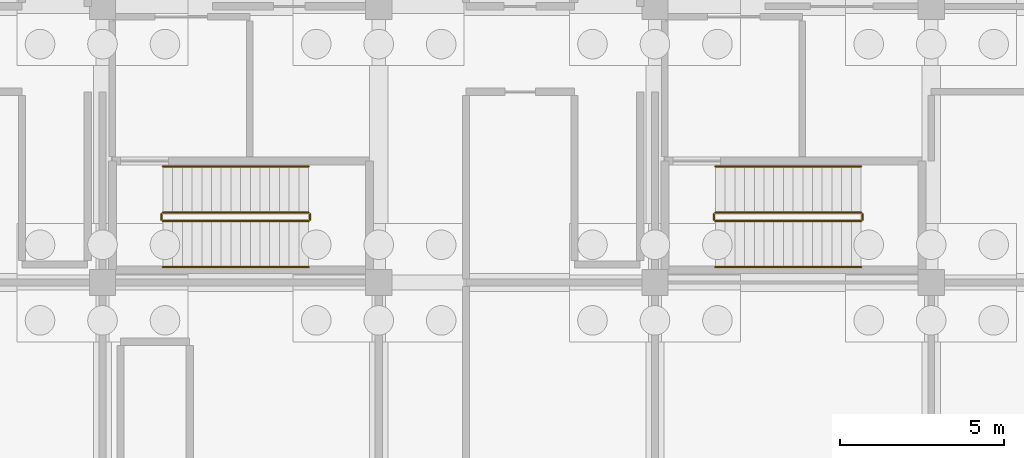
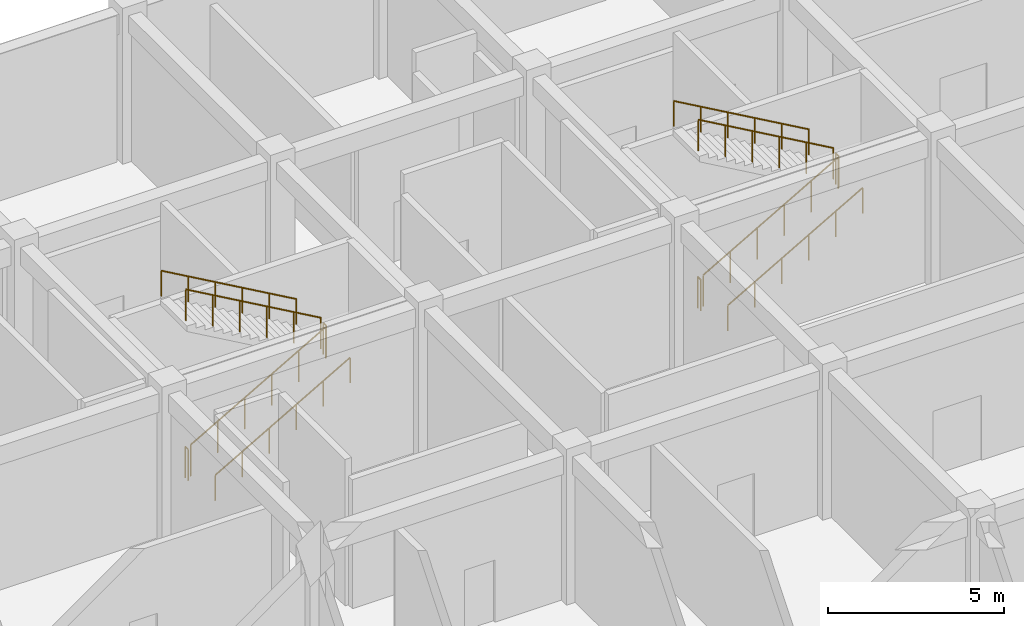
# One storey, part 57 of 65: 12 railings.
"""IFC4 building model written with IfcOpenShell, lengths in metres."""

from ifc_helpers import new_model, si_unit, direction, frame, origin, origin_2d, place, context, subcontext, project, spatial, circle, extrude, material, type_object, element, save


model = new_model("IFC4")

# Units and contexts
model_context = context("Model", 3, precision=1e-05, world=origin(), true_north=direction((0.0, 1.0)))
body_context = subcontext(model_context, "Body", "Model", "MODEL_VIEW")
ifc_project = project(units=[si_unit("LENGTHUNIT", "METRE"), si_unit("AREAUNIT", "SQUARE_METRE"), si_unit("VOLUMEUNIT", "CUBIC_METRE"), si_unit("PLANEANGLEUNIT", "RADIAN"), si_unit("MASSUNIT", "GRAM", prefix="KILO")], contexts=[model_context])

# Site, building, storey
site_placement = place(None, origin())
site = spatial("IfcSite", under=ifc_project, at=site_placement, CompositionType="ELEMENT")
building_placement = place(site_placement, origin())
building = spatial("IfcBuilding", under=site, at=building_placement, Name="Bramfleet General Hospital", CompositionType="ELEMENT")
storey_placement = place(building_placement, frame((0.0, 0.0, -5.39990234375)))
storey = spatial("IfcBuildingStorey", under=building, at=storey_placement, Name="B1", CompositionType="ELEMENT", Elevation=-5.39990234375)

# Railings
ifc_material_1 = material(Name="Powder-coated steel stair balustrade", Category="steel")
railing_type_1 = type_object("IfcRailingType", Name="RAIL-ST-GUARD", PredefinedType="GUARDRAIL", material=ifc_material_1)
railing_1_placement = place(storey_placement, frame((35.43994140625, 102.669921875, 0.168701171875)))
element("IfcRailing", 1, at=railing_1_placement, inside=storey, type_object=railing_type_1, Name="B1 ST-C8 stair guard 1", PredefinedType="GUARDRAIL", context=body_context, shape_type="SweptSolid", body=[
    extrude(circle(Radius=0.02392578125, at=origin_2d()), frame((0.0, 0.0, 1.076171875), z_axis=(0.868019072493, 0.0, 0.49653085482), x_axis=(0.0, 1.0, 0.0)), (0.0, 0.0, 1.0), 5.097900390625),
    extrude(circle(Radius=0.02099609375, at=origin_2d()), origin(), (0.0, 0.0, 1.0), 1.052001953125),
    extrude(circle(Radius=0.02099609375, at=origin_2d()), frame((0.885009765625, 0.0, 0.50634765625)), (0.0, 0.0, 1.0), 1.052001953125),
    extrude(circle(Radius=0.02099609375, at=origin_2d()), frame((1.77001953125, 0.0, 1.012451171875)), (0.0, 0.0, 1.0), 1.052001953125),
    extrude(circle(Radius=0.02099609375, at=origin_2d()), frame((2.655029296875, 0.0, 1.518798828125)), (0.0, 0.0, 1.0), 1.052001953125),
    extrude(circle(Radius=0.02099609375, at=origin_2d()), frame((3.5400390625, 0.0, 2.02490234375)), (0.0, 0.0, 1.0), 1.052001953125),
    extrude(circle(Radius=0.02099609375, at=origin_2d()), frame((4.425048828125, 0.0, 2.53125)), (0.0, 0.0, 1.0), 1.052001953125),
])
railing_2_placement = place(storey_placement, frame((39.9150390625, 102.719970703125, 2.699951171875)))
element("IfcRailing", 2, at=railing_2_placement, inside=storey, type_object=railing_type_1, Name="B1 ST-C8 stair guard 2", PredefinedType="GUARDRAIL", context=body_context, shape_type="SweptSolid", body=[
    extrude(circle(Radius=0.02392578125, at=origin_2d()), frame((0.0, 0.0, 1.076171875), z_axis=(0.0, 1.0, 0.0), x_axis=(-1.0, 0.0, 0.0)), (0.0, 0.0, 1.0), 0.159912109375),
    extrude(circle(Radius=0.02099609375, at=origin_2d()), origin(), (0.0, 0.0, 1.0), 1.052001953125),
    extrude(circle(Radius=0.02099609375, at=origin_2d()), frame((0.0, 0.159912109375, 0.0)), (0.0, 0.0, 1.0), 1.052001953125),
])
railing_3_placement = place(storey_placement, frame((39.864990234375, 102.929931640625, 2.86865234375)))
element("IfcRailing", 3, at=railing_3_placement, inside=storey, type_object=railing_type_1, Name="B1 ST-C8 stair guard 3", PredefinedType="GUARDRAIL", context=body_context, shape_type="SweptSolid", body=[
    extrude(circle(Radius=0.02392578125, at=origin_2d()), frame((0.0, 0.0, 1.076171875), z_axis=(-0.868019072493, 0.0, 0.49653085482), x_axis=(0.0, -1.0, 0.0)), (0.0, 0.0, 1.0), 5.097900390625),
    extrude(circle(Radius=0.02099609375, at=origin_2d()), origin(), (0.0, 0.0, 1.0), 1.052001953125),
    extrude(circle(Radius=0.02099609375, at=origin_2d()), frame((-0.885009765625, 0.0, 0.50634765625)), (0.0, 0.0, 1.0), 1.052001953125),
    extrude(circle(Radius=0.02099609375, at=origin_2d()), frame((-1.77001953125, 0.0, 1.012451171875)), (0.0, 0.0, 1.0), 1.052001953125),
    extrude(circle(Radius=0.02099609375, at=origin_2d()), frame((-2.655029296875, 0.0, 1.518798828125)), (0.0, 0.0, 1.0), 1.052001953125),
    extrude(circle(Radius=0.02099609375, at=origin_2d()), frame((-3.5400390625, 0.0, 2.02490234375)), (0.0, 0.0, 1.0), 1.052001953125),
    extrude(circle(Radius=0.02099609375, at=origin_2d()), frame((-4.425048828125, 0.0, 2.53125)), (0.0, 0.0, 1.0), 1.052001953125),
])
railing_4_placement = place(storey_placement, frame((35.389892578125, 102.719970703125, 0.0)))
element("IfcRailing", 4, at=railing_4_placement, inside=storey, type_object=railing_type_1, Name="B1 ST-C8 stair guard 4", PredefinedType="GUARDRAIL", context=body_context, shape_type="SweptSolid", body=[
    extrude(circle(Radius=0.02392578125, at=origin_2d()), frame((0.0, 0.0, 1.076171875), z_axis=(0.0, 1.0, 0.0), x_axis=(-1.0, 0.0, 0.0)), (0.0, 0.0, 1.0), 0.159912109375),
    extrude(circle(Radius=0.02099609375, at=origin_2d()), origin(), (0.0, 0.0, 1.0), 1.052001953125),
    extrude(circle(Radius=0.02099609375, at=origin_2d()), frame((0.0, 0.159912109375, 0.0)), (0.0, 0.0, 1.0), 1.052001953125),
])
railing_5_placement = place(storey_placement, frame((52.239990234375, 102.669921875, 0.168701171875)))
element("IfcRailing", 5, at=railing_5_placement, inside=storey, type_object=railing_type_1, Name="B1 ST-C14 stair guard 1", PredefinedType="GUARDRAIL", context=body_context, shape_type="SweptSolid", body=[
    extrude(circle(Radius=0.02392578125, at=origin_2d()), frame((0.0, 0.0, 1.076171875), z_axis=(0.868019072493, 0.0, 0.49653085482), x_axis=(0.0, 1.0, 0.0)), (0.0, 0.0, 1.0), 5.097900390625),
    extrude(circle(Radius=0.02099609375, at=origin_2d()), origin(), (0.0, 0.0, 1.0), 1.052001953125),
    extrude(circle(Radius=0.02099609375, at=origin_2d()), frame((0.885009765625, 0.0, 0.50634765625)), (0.0, 0.0, 1.0), 1.052001953125),
    extrude(circle(Radius=0.02099609375, at=origin_2d()), frame((1.77001953125, 0.0, 1.012451171875)), (0.0, 0.0, 1.0), 1.052001953125),
    extrude(circle(Radius=0.02099609375, at=origin_2d()), frame((2.655029296875, 0.0, 1.518798828125)), (0.0, 0.0, 1.0), 1.052001953125),
    extrude(circle(Radius=0.02099609375, at=origin_2d()), frame((3.5400390625, 0.0, 2.02490234375)), (0.0, 0.0, 1.0), 1.052001953125),
    extrude(circle(Radius=0.02099609375, at=origin_2d()), frame((4.425048828125, 0.0, 2.53125)), (0.0, 0.0, 1.0), 1.052001953125),
])
railing_6_placement = place(storey_placement, frame((56.715087890625, 102.719970703125, 2.699951171875)))
element("IfcRailing", 6, at=railing_6_placement, inside=storey, type_object=railing_type_1, Name="B1 ST-C14 stair guard 2", PredefinedType="GUARDRAIL", context=body_context, shape_type="SweptSolid", body=[
    extrude(circle(Radius=0.02392578125, at=origin_2d()), frame((0.0, 0.0, 1.076171875), z_axis=(0.0, 1.0, 0.0), x_axis=(-1.0, 0.0, 0.0)), (0.0, 0.0, 1.0), 0.159912109375),
    extrude(circle(Radius=0.02099609375, at=origin_2d()), origin(), (0.0, 0.0, 1.0), 1.052001953125),
    extrude(circle(Radius=0.02099609375, at=origin_2d()), frame((0.0, 0.159912109375, 0.0)), (0.0, 0.0, 1.0), 1.052001953125),
])
railing_7_placement = place(storey_placement, frame((56.6650390625, 102.929931640625, 2.86865234375)))
element("IfcRailing", 7, at=railing_7_placement, inside=storey, type_object=railing_type_1, Name="B1 ST-C14 stair guard 3", PredefinedType="GUARDRAIL", context=body_context, shape_type="SweptSolid", body=[
    extrude(circle(Radius=0.02392578125, at=origin_2d()), frame((0.0, 0.0, 1.076171875), z_axis=(-0.868019072493, 0.0, 0.49653085482), x_axis=(0.0, -1.0, 0.0)), (0.0, 0.0, 1.0), 5.097900390625),
    extrude(circle(Radius=0.02099609375, at=origin_2d()), origin(), (0.0, 0.0, 1.0), 1.052001953125),
    extrude(circle(Radius=0.02099609375, at=origin_2d()), frame((-0.885009765625, 0.0, 0.50634765625)), (0.0, 0.0, 1.0), 1.052001953125),
    extrude(circle(Radius=0.02099609375, at=origin_2d()), frame((-1.77001953125, 0.0, 1.012451171875)), (0.0, 0.0, 1.0), 1.052001953125),
    extrude(circle(Radius=0.02099609375, at=origin_2d()), frame((-2.655029296875, 0.0, 1.518798828125)), (0.0, 0.0, 1.0), 1.052001953125),
    extrude(circle(Radius=0.02099609375, at=origin_2d()), frame((-3.5400390625, 0.0, 2.02490234375)), (0.0, 0.0, 1.0), 1.052001953125),
    extrude(circle(Radius=0.02099609375, at=origin_2d()), frame((-4.425048828125, 0.0, 2.53125)), (0.0, 0.0, 1.0), 1.052001953125),
])
railing_8_placement = place(storey_placement, frame((52.18994140625, 102.719970703125, 0.0)))
element("IfcRailing", 8, at=railing_8_placement, inside=storey, type_object=railing_type_1, Name="B1 ST-C14 stair guard 4", PredefinedType="GUARDRAIL", context=body_context, shape_type="SweptSolid", body=[
    extrude(circle(Radius=0.02392578125, at=origin_2d()), frame((0.0, 0.0, 1.076171875), z_axis=(0.0, 1.0, 0.0), x_axis=(-1.0, 0.0, 0.0)), (0.0, 0.0, 1.0), 0.159912109375),
    extrude(circle(Radius=0.02099609375, at=origin_2d()), origin(), (0.0, 0.0, 1.0), 1.052001953125),
    extrude(circle(Radius=0.02099609375, at=origin_2d()), frame((0.0, 0.159912109375, 0.0)), (0.0, 0.0, 1.0), 1.052001953125),
])
ifc_material_2 = material(Name="Stainless steel 1.4301 stair handrail", Category="steel")
railing_type_2 = type_object("IfcRailingType", Name="RAIL-ST-HND", PredefinedType="HANDRAIL", material=ifc_material_2)
railing_9_placement = place(storey_placement, frame((35.43994140625, 101.27001953125, 0.168701171875)))
element("IfcRailing", 9, at=railing_9_placement, inside=storey, type_object=railing_type_2, Name="B1 ST-C8 stair handrail 1", PredefinedType="HANDRAIL", context=body_context, shape_type="SweptSolid", body=[
    extrude(circle(Radius=0.02392578125, at=origin_2d()), frame((0.0, 0.0, 0.8759765625), z_axis=(0.868019072493, 0.0, 0.49653085482), x_axis=(0.0, 1.0, 0.0)), (0.0, 0.0, 1.0), 5.097900390625),
    extrude(circle(Radius=0.02099609375, at=origin_2d()), origin(), (0.0, 0.0, 1.0), 0.851806640625),
    extrude(circle(Radius=0.02099609375, at=origin_2d()), frame((0.885009765625, 0.0, 0.50634765625)), (0.0, 0.0, 1.0), 0.851806640625),
    extrude(circle(Radius=0.02099609375, at=origin_2d()), frame((1.77001953125, 0.0, 1.012451171875)), (0.0, 0.0, 1.0), 0.851806640625),
    extrude(circle(Radius=0.02099609375, at=origin_2d()), frame((2.655029296875, 0.0, 1.518798828125)), (0.0, 0.0, 1.0), 0.851806640625),
    extrude(circle(Radius=0.02099609375, at=origin_2d()), frame((3.5400390625, 0.0, 2.02490234375)), (0.0, 0.0, 1.0), 0.851806640625),
    extrude(circle(Radius=0.02099609375, at=origin_2d()), frame((4.425048828125, 0.0, 2.53125)), (0.0, 0.0, 1.0), 0.851806640625),
])
railing_10_placement = place(storey_placement, frame((39.864990234375, 104.330078125, 2.86865234375)))
element("IfcRailing", 10, at=railing_10_placement, inside=storey, type_object=railing_type_2, Name="B1 ST-C8 stair handrail 2", PredefinedType="HANDRAIL", context=body_context, shape_type="SweptSolid", body=[
    extrude(circle(Radius=0.02392578125, at=origin_2d()), frame((0.0, 0.0, 0.8759765625), z_axis=(-0.868019072493, 0.0, 0.49653085482), x_axis=(0.0, -1.0, 0.0)), (0.0, 0.0, 1.0), 5.097900390625),
    extrude(circle(Radius=0.02099609375, at=origin_2d()), origin(), (0.0, 0.0, 1.0), 0.851806640625),
    extrude(circle(Radius=0.02099609375, at=origin_2d()), frame((-0.885009765625, 0.0, 0.50634765625)), (0.0, 0.0, 1.0), 0.851806640625),
    extrude(circle(Radius=0.02099609375, at=origin_2d()), frame((-1.77001953125, 0.0, 1.012451171875)), (0.0, 0.0, 1.0), 0.851806640625),
    extrude(circle(Radius=0.02099609375, at=origin_2d()), frame((-2.655029296875, 0.0, 1.518798828125)), (0.0, 0.0, 1.0), 0.851806640625),
    extrude(circle(Radius=0.02099609375, at=origin_2d()), frame((-3.5400390625, 0.0, 2.02490234375)), (0.0, 0.0, 1.0), 0.851806640625),
    extrude(circle(Radius=0.02099609375, at=origin_2d()), frame((-4.425048828125, 0.0, 2.53125)), (0.0, 0.0, 1.0), 0.851806640625),
])
railing_11_placement = place(storey_placement, frame((52.239990234375, 101.27001953125, 0.168701171875)))
element("IfcRailing", 11, at=railing_11_placement, inside=storey, type_object=railing_type_2, Name="B1 ST-C14 stair handrail 1", PredefinedType="HANDRAIL", context=body_context, shape_type="SweptSolid", body=[
    extrude(circle(Radius=0.02392578125, at=origin_2d()), frame((0.0, 0.0, 0.8759765625), z_axis=(0.868019072493, 0.0, 0.49653085482), x_axis=(0.0, 1.0, 0.0)), (0.0, 0.0, 1.0), 5.097900390625),
    extrude(circle(Radius=0.02099609375, at=origin_2d()), origin(), (0.0, 0.0, 1.0), 0.851806640625),
    extrude(circle(Radius=0.02099609375, at=origin_2d()), frame((0.885009765625, 0.0, 0.50634765625)), (0.0, 0.0, 1.0), 0.851806640625),
    extrude(circle(Radius=0.02099609375, at=origin_2d()), frame((1.77001953125, 0.0, 1.012451171875)), (0.0, 0.0, 1.0), 0.851806640625),
    extrude(circle(Radius=0.02099609375, at=origin_2d()), frame((2.655029296875, 0.0, 1.518798828125)), (0.0, 0.0, 1.0), 0.851806640625),
    extrude(circle(Radius=0.02099609375, at=origin_2d()), frame((3.5400390625, 0.0, 2.02490234375)), (0.0, 0.0, 1.0), 0.851806640625),
    extrude(circle(Radius=0.02099609375, at=origin_2d()), frame((4.425048828125, 0.0, 2.53125)), (0.0, 0.0, 1.0), 0.851806640625),
])
railing_12_placement = place(storey_placement, frame((56.6650390625, 104.330078125, 2.86865234375)))
element("IfcRailing", 12, at=railing_12_placement, inside=storey, type_object=railing_type_2, Name="B1 ST-C14 stair handrail 2", PredefinedType="HANDRAIL", context=body_context, shape_type="SweptSolid", body=[
    extrude(circle(Radius=0.02392578125, at=origin_2d()), frame((0.0, 0.0, 0.8759765625), z_axis=(-0.868019072493, 0.0, 0.49653085482), x_axis=(0.0, -1.0, 0.0)), (0.0, 0.0, 1.0), 5.097900390625),
    extrude(circle(Radius=0.02099609375, at=origin_2d()), origin(), (0.0, 0.0, 1.0), 0.851806640625),
    extrude(circle(Radius=0.02099609375, at=origin_2d()), frame((-0.885009765625, 0.0, 0.50634765625)), (0.0, 0.0, 1.0), 0.851806640625),
    extrude(circle(Radius=0.02099609375, at=origin_2d()), frame((-1.77001953125, 0.0, 1.012451171875)), (0.0, 0.0, 1.0), 0.851806640625),
    extrude(circle(Radius=0.02099609375, at=origin_2d()), frame((-2.655029296875, 0.0, 1.518798828125)), (0.0, 0.0, 1.0), 0.851806640625),
    extrude(circle(Radius=0.02099609375, at=origin_2d()), frame((-3.5400390625, 0.0, 2.02490234375)), (0.0, 0.0, 1.0), 0.851806640625),
    extrude(circle(Radius=0.02099609375, at=origin_2d()), frame((-4.425048828125, 0.0, 2.53125)), (0.0, 0.0, 1.0), 0.851806640625),
])

save(model, "model.ifc")
